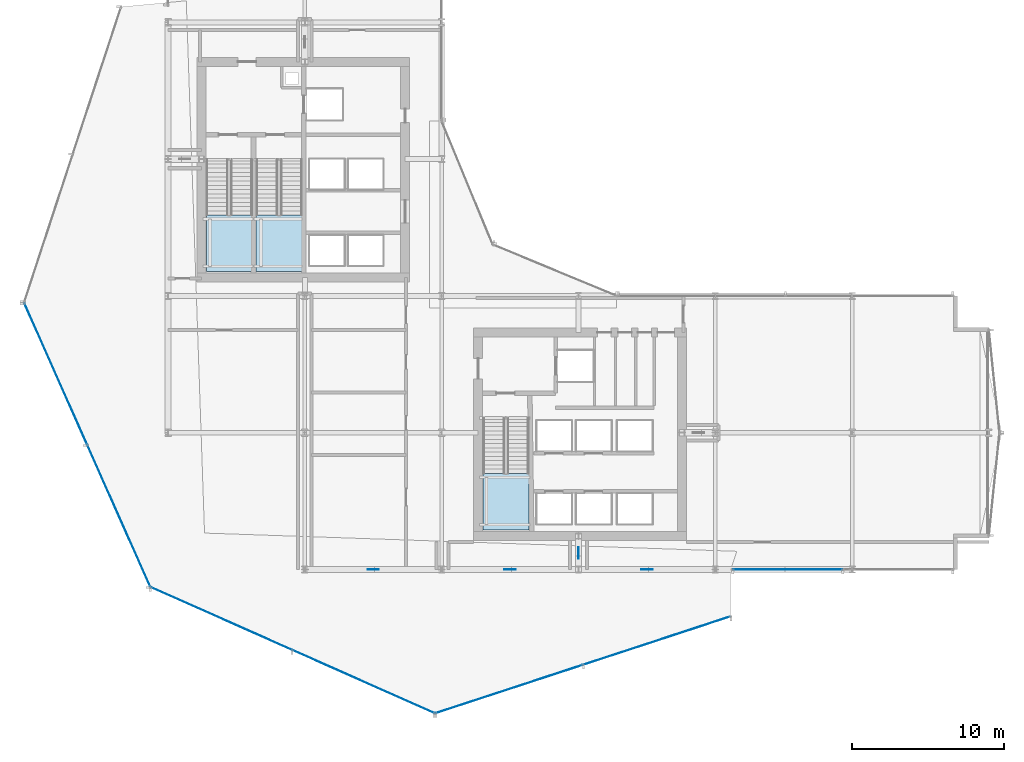
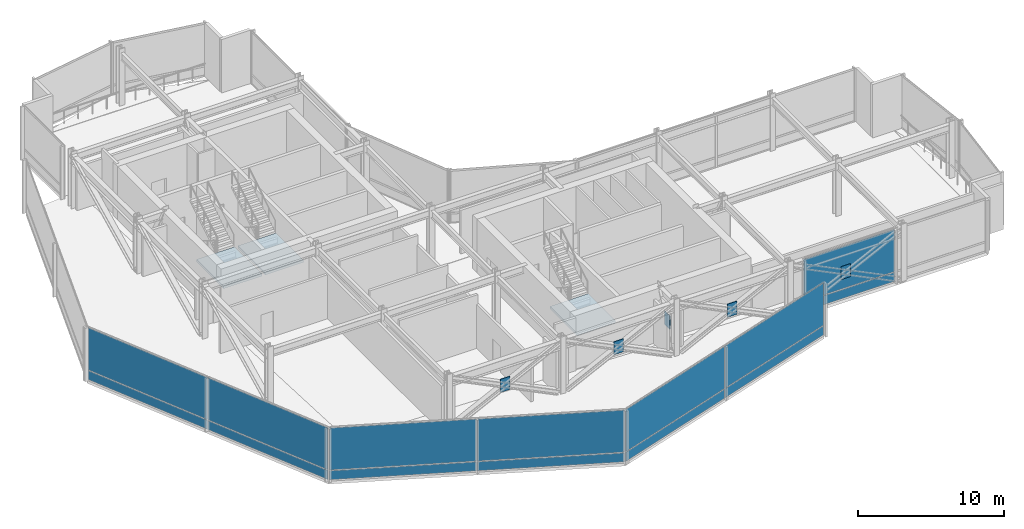
# One storey, part 28 of 42: 19 plates, 3 slabs, 7 elements without a shape of their own.
"""IFC4 building model written with IfcOpenShell, lengths in metres."""

from ifc_helpers import new_model, si_unit, direction, frame, origin, origin_2d, place, context, subcontext, project, spatial, polyline, rectangle, outline, extrude, material, layer, layer_set, type_object, element, aggregate, save


model = new_model("IFC4")

# Units and contexts
model_context = context("Model", 3, precision=1e-05, world=origin(), true_north=direction((0.0, 1.0)))
body_context = subcontext(model_context, "Body", "Model", "MODEL_VIEW")
ifc_project = project(units=[si_unit("LENGTHUNIT", "METRE"), si_unit("AREAUNIT", "SQUARE_METRE"), si_unit("VOLUMEUNIT", "CUBIC_METRE"), si_unit("PLANEANGLEUNIT", "RADIAN"), si_unit("MASSUNIT", "GRAM", prefix="KILO")], contexts=[model_context])

# Site, building, storey
site_placement = place(None, origin())
site = spatial("IfcSite", under=ifc_project, at=site_placement, CompositionType="ELEMENT")
building_placement = place(site_placement, origin())
building = spatial("IfcBuilding", under=site, at=building_placement, Name="Solvaryn Broadcast Tower", CompositionType="ELEMENT")
storey_placement = place(building_placement, frame((0.0, 0.0, 100.199951171875)))
storey = spatial("IfcBuildingStorey", under=building, at=storey_placement, Name="L24", CompositionType="ELEMENT", Elevation=100.199951171875)

# Curtain wall, plates
ifc_material_1 = material(Name="Aluminium and Terracotta Unitised Curtain Wall", Category="masonry")
ifc_layer_1 = layer(ifc_material_1, 0.199951171875)
ifc_layer_set_1 = layer_set([ifc_layer_1], Name="CW-SYS2-LOWMID")
curtain_wall_type = type_object("IfcCurtainWallType", Name="CW-SYS2-LOWMID", PredefinedType="NOTDEFINED", material=ifc_layer_set_1)
curtain_wall_1_placement = place(storey_placement, origin())
curtain_wall_1 = element("IfcCurtainWall", 1, at=curtain_wall_1_placement, inside=storey, type_object=curtain_wall_type, Name="L24 Curtain Wall DR2", PredefinedType="NOTDEFINED")
ifc_material_2 = material(Name="Kiln-Fired Architectural Terracotta Spandrel", Category="masonry")
ifc_layer_2 = layer(ifc_material_2, 0.048095703125)
ifc_layer_set_2 = layer_set([ifc_layer_2], Name="CW-PNL-TERRACOTTA")
plate_type_1 = type_object("IfcPlateType", Name="CW-PNL-TERRACOTTA", PredefinedType="CURTAIN_PANEL", material=ifc_layer_set_2)
plate_1_placement = place(storey_placement, frame((1.619873046875, 21.867919921875, 0.06005859375), z_axis=(0.0, 0.0, 1.0), x_axis=(0.405898286554, -0.913918257271, 0.0)))
plate_1 = element("IfcPlate", 2, at=plate_1_placement, type_object=plate_type_1, Name="CWS2 panel 1.1", PredefinedType="CURTAIN_PANEL", context=body_context, shape_type="SweptSolid", body=[
    extrude(rectangle(XDim=10.147705078125, YDim=0.028076171875, at=origin_2d()), origin(), (0.0, 0.0, 1.0), 0.760009765625),
])
plate_2_placement = place(storey_placement, frame((1.619873046875, 21.867919921875, 0.8798828125), z_axis=(0.0, 0.0, 1.0), x_axis=(0.405898286554, -0.913918257271, 0.0)))
plate_2 = element("IfcPlate", 3, at=plate_2_placement, type_object=plate_type_1, Name="CWS2 panel 1.2", PredefinedType="CURTAIN_PANEL", context=body_context, shape_type="SweptSolid", body=[
    extrude(rectangle(XDim=10.147705078125, YDim=0.028076171875, at=origin_2d()), origin(), (0.0, 0.0, 1.0), 3.530029296875),
])
plate_3_placement = place(storey_placement, frame((5.76318359375, 12.5390625, 0.06005859375), z_axis=(0.0, 0.0, 1.0), x_axis=(0.405898286554, -0.913918257271, 0.0)))
plate_3 = element("IfcPlate", 4, at=plate_3_placement, type_object=plate_type_1, Name="CWS2 panel 2.1", PredefinedType="CURTAIN_PANEL", context=body_context, shape_type="SweptSolid", body=[
    extrude(rectangle(XDim=10.147705078125, YDim=0.028076171875, at=origin_2d()), origin(), (0.0, 0.0, 1.0), 0.760009765625),
])
plate_4_placement = place(storey_placement, frame((5.76318359375, 12.5390625, 0.8798828125), z_axis=(0.0, 0.0, 1.0), x_axis=(0.405898286554, -0.913918257271, 0.0)))
plate_4 = element("IfcPlate", 5, at=plate_4_placement, type_object=plate_type_1, Name="CWS2 panel 2.2", PredefinedType="CURTAIN_PANEL", context=body_context, shape_type="SweptSolid", body=[
    extrude(rectangle(XDim=10.147705078125, YDim=0.028076171875, at=origin_2d()), origin(), (0.0, 0.0, 1.0), 3.530029296875),
])
aggregate(curtain_wall_1, [plate_1, plate_2, plate_3, plate_4])

curtain_wall_2_placement = place(storey_placement, origin())
curtain_wall_2 = element("IfcCurtainWall", 6, at=curtain_wall_2_placement, inside=storey, type_object=curtain_wall_type, Name="L24 Curtain Wall DR3", PredefinedType="NOTDEFINED")
plate_5_placement = place(storey_placement, frame((12.5390625, 5.76318359375, 0.06005859375), z_axis=(0.0, 0.0, 1.0), x_axis=(0.913918257271, -0.405898286554, 0.0)))
plate_5 = element("IfcPlate", 7, at=plate_5_placement, type_object=plate_type_1, Name="CWS2 panel 1.1", PredefinedType="CURTAIN_PANEL", context=body_context, shape_type="SweptSolid", body=[
    extrude(rectangle(XDim=10.147705078125, YDim=0.028076171875, at=origin_2d()), origin(), (0.0, 0.0, 1.0), 0.760009765625),
])
plate_6_placement = place(storey_placement, frame((12.5390625, 5.76318359375, 0.8798828125), z_axis=(0.0, 0.0, 1.0), x_axis=(0.913918257271, -0.405898286554, 0.0)))
plate_6 = element("IfcPlate", 8, at=plate_6_placement, type_object=plate_type_1, Name="CWS2 panel 1.2", PredefinedType="CURTAIN_PANEL", context=body_context, shape_type="SweptSolid", body=[
    extrude(rectangle(XDim=10.147705078125, YDim=0.028076171875, at=origin_2d()), origin(), (0.0, 0.0, 1.0), 3.530029296875),
])
plate_7_placement = place(storey_placement, frame((21.867919921875, 1.619873046875, 0.06005859375), z_axis=(0.0, 0.0, 1.0), x_axis=(0.913918257271, -0.405898286554, 0.0)))
plate_7 = element("IfcPlate", 9, at=plate_7_placement, type_object=plate_type_1, Name="CWS2 panel 2.1", PredefinedType="CURTAIN_PANEL", context=body_context, shape_type="SweptSolid", body=[
    extrude(rectangle(XDim=10.147705078125, YDim=0.028076171875, at=origin_2d()), origin(), (0.0, 0.0, 1.0), 0.760009765625),
])
plate_8_placement = place(storey_placement, frame((21.867919921875, 1.619873046875, 0.8798828125), z_axis=(0.0, 0.0, 1.0), x_axis=(0.913918257271, -0.405898286554, 0.0)))
plate_8 = element("IfcPlate", 10, at=plate_8_placement, type_object=plate_type_1, Name="CWS2 panel 2.2", PredefinedType="CURTAIN_PANEL", context=body_context, shape_type="SweptSolid", body=[
    extrude(rectangle(XDim=10.147705078125, YDim=0.028076171875, at=origin_2d()), origin(), (0.0, 0.0, 1.0), 3.530029296875),
])
aggregate(curtain_wall_2, [plate_5, plate_6, plate_7, plate_8])

curtain_wall_3_placement = place(storey_placement, origin())
curtain_wall_3 = element("IfcCurtainWall", 11, at=curtain_wall_3_placement, inside=storey, type_object=curtain_wall_type, Name="L24 Curtain Wall DR4", PredefinedType="NOTDEFINED")
plate_9_placement = place(storey_placement, frame((31.438232421875, 1.1357421875, 0.06005859375), z_axis=(0.0, 0.0, 1.0), x_axis=(0.950215318429, 0.311594044587, 0.0)))
plate_9 = element("IfcPlate", 12, at=plate_9_placement, type_object=plate_type_1, Name="CWS2 panel 1.1", PredefinedType="CURTAIN_PANEL", context=body_context, shape_type="SweptSolid", body=[
    extrude(rectangle(XDim=10.147705078125, YDim=0.028076171875, at=origin_2d()), origin(), (0.0, 0.0, 1.0), 0.760009765625),
])
plate_10_placement = place(storey_placement, frame((31.438232421875, 1.1357421875, 0.8798828125), z_axis=(0.0, 0.0, 1.0), x_axis=(0.950215318429, 0.311594044587, 0.0)))
plate_10 = element("IfcPlate", 13, at=plate_10_placement, type_object=plate_type_1, Name="CWS2 panel 1.2", PredefinedType="CURTAIN_PANEL", context=body_context, shape_type="SweptSolid", body=[
    extrude(rectangle(XDim=10.147705078125, YDim=0.028076171875, at=origin_2d()), origin(), (0.0, 0.0, 1.0), 3.530029296875),
])
plate_11_placement = place(storey_placement, frame((41.1376953125, 4.31640625, 0.06005859375), z_axis=(0.0, 0.0, 1.0), x_axis=(0.950215318429, 0.311594044587, 0.0)))
plate_11 = element("IfcPlate", 14, at=plate_11_placement, type_object=plate_type_1, Name="CWS2 panel 2.1", PredefinedType="CURTAIN_PANEL", context=body_context, shape_type="SweptSolid", body=[
    extrude(rectangle(XDim=10.147705078125, YDim=0.028076171875, at=origin_2d()), origin(), (0.0, 0.0, 1.0), 0.760009765625),
])
plate_12_placement = place(storey_placement, frame((41.1376953125, 4.31640625, 0.8798828125), z_axis=(0.0, 0.0, 1.0), x_axis=(0.950215318429, 0.311594044587, 0.0)))
plate_12 = element("IfcPlate", 15, at=plate_12_placement, type_object=plate_type_1, Name="CWS2 panel 2.2", PredefinedType="CURTAIN_PANEL", context=body_context, shape_type="SweptSolid", body=[
    extrude(rectangle(XDim=10.147705078125, YDim=0.028076171875, at=origin_2d()), origin(), (0.0, 0.0, 1.0), 3.530029296875),
])
aggregate(curtain_wall_3, [plate_9, plate_10, plate_11, plate_12])

curtain_wall_4_placement = place(storey_placement, origin())
curtain_wall_4 = element("IfcCurtainWall", 16, at=curtain_wall_4_placement, inside=storey, type_object=curtain_wall_type, Name="L24 Curtain Wall S2", PredefinedType="NOTDEFINED")
plate_13_placement = place(storey_placement, frame((49.764404296875, 9.0, 0.06005859375), z_axis=(0.0, 0.0, 1.0), x_axis=(1.0, 0.0, 0.0)))
plate_13 = element("IfcPlate", 17, at=plate_13_placement, type_object=plate_type_1, Name="CWS2 panel 1.1", PredefinedType="CURTAIN_PANEL", context=body_context, shape_type="SweptSolid", body=[
    extrude(rectangle(XDim=7.177001953125, YDim=0.028076171875, at=origin_2d()), origin(), (0.0, 0.0, 1.0), 0.760009765625),
])
plate_14_placement = place(storey_placement, frame((49.764404296875, 9.0, 0.8798828125), z_axis=(0.0, 0.0, 1.0), x_axis=(1.0, 0.0, 0.0)))
plate_14 = element("IfcPlate", 18, at=plate_14_placement, type_object=plate_type_1, Name="CWS2 panel 1.2", PredefinedType="CURTAIN_PANEL", context=body_context, shape_type="SweptSolid", body=[
    extrude(rectangle(XDim=7.177001953125, YDim=0.028076171875, at=origin_2d()), origin(), (0.0, 0.0, 1.0), 3.530029296875),
])
aggregate(curtain_wall_4, [plate_13, plate_14])

# Plates
ifc_material_3 = material(Name="Steel ASTM A572 Grade 50", Category="steel")
ifc_layer_3 = layer(ifc_material_3, 0.050048828125)
ifc_layer_set_3 = layer_set([ifc_layer_3], Name="PL-GUSSET-50")
plate_type_2 = type_object("IfcPlateType", Name="PL-GUSSET-50", PredefinedType="SHEET", material=ifc_layer_set_3)
plate_15_placement = place(storey_placement, frame((36.0, 10.10009765625, 1.68505859375), z_axis=(0.0, 0.0, 1.0), x_axis=(1.0, 0.0, 0.0)))
element("IfcPlate", 19, at=plate_15_placement, inside=storey, type_object=plate_type_2, Name="L24 Outrigger X-Brace S X-Crossing Gusset Node Plate", PredefinedType="SHEET", context=body_context, shape_type="SweptSolid", body=[
    extrude(rectangle(XDim=0.050048828125, YDim=0.75, at=origin_2d()), origin(), (0.0, 0.0, 1.0), 1.10009765625),
])
for number, where, z_axis, x_axis, name in (
    (20, (22.5, 9.0, 1.68505859375), (0.0, 0.0, 1.0), (1.0, 0.0, 0.0), "L24 South Belt X-Brace 3 X-Crossing Gusset Node Plate"),
    (21, (31.5, 9.0, 1.68505859375), (0.0, 0.0, 1.0), (1.0, 0.0, 0.0), "L24 South Belt X-Brace 4 X-Crossing Gusset Node Plate"),
    (22, (40.5, 9.0, 1.68505859375), (0.0, 0.0, 1.0), (1.0, 0.0, 0.0), "L24 South Belt X-Brace 5 X-Crossing Gusset Node Plate"),
    (23, (49.5, 9.0, 1.68505859375), (0.0, 0.0, 1.0), (1.0, 0.0, 0.0), "L24 South Belt X-Brace 6 X-Crossing Gusset Node Plate"),
):
    element("IfcPlate", number, at=place(storey_placement, frame(where, z_axis=z_axis, x_axis=x_axis)), inside=storey, type_object=plate_type_2, Name=name, PredefinedType="SHEET", context=body_context, shape_type="SweptSolid", body=[
        extrude(rectangle(XDim=0.75, YDim=0.050048828125, at=origin_2d()), origin(), (0.0, 0.0, 1.0), 1.10009765625),
    ])

# Stair, slab
ifc_material_4 = material(Name="Concrete f'c 60 MPa", Category="concrete")
stair_type = type_object("IfcStairType", Name="ST-CORE", PredefinedType="HALF_TURN_STAIR", material=ifc_material_4)
stair_1_placement = place(storey_placement, origin())
stair_1 = element("IfcStair", 24, at=stair_1_placement, inside=storey, type_object=stair_type, Name="L24 ST1", PredefinedType="HALF_TURN_STAIR")
ifc_material_5 = material(Name="Concrete f'c 60 MPa", Category="concrete")
ifc_layer_4 = layer(ifc_material_5, 0.199951171875)
ifc_layer_set_4 = layer_set([ifc_layer_4], Name="SL-LANDING-200")
slab_type = type_object("IfcSlabType", Name="SL-LANDING-200", PredefinedType="LANDING", material=ifc_layer_set_4)
slab_1_placement = place(storey_placement, frame((0.0, 0.0, 2.199951171875)))
slab_1 = element("IfcSlab", 25, at=slab_1_placement, type_object=slab_type, Name="ST1 landing 1", PredefinedType="LANDING", context=body_context, shape_type="SweptSolid", body=[
    extrude(outline(polyline([(11.52001953125, 32.320068359375), (11.52001953125, 28.60009765625), (14.550048828125, 28.60009765625), (14.550048828125, 32.320068359375), (11.52001953125, 32.320068359375)])), origin(), (0.0, 0.0, 1.0), 0.2001953125),
])
aggregate(stair_1, [slab_1])

stair_2_placement = place(storey_placement, origin())
stair_2 = element("IfcStair", 26, at=stair_2_placement, inside=storey, type_object=stair_type, Name="L24 ST2", PredefinedType="HALF_TURN_STAIR")
slab_2_placement = place(storey_placement, frame((0.0, 0.0, 2.199951171875)))
slab_2 = element("IfcSlab", 27, at=slab_2_placement, type_object=slab_type, Name="ST2 landing 1", PredefinedType="LANDING", context=body_context, shape_type="SweptSolid", body=[
    extrude(outline(polyline([(14.800048828125, 32.320068359375), (14.800048828125, 28.60009765625), (17.830078125, 28.60009765625), (17.830078125, 32.320068359375), (14.800048828125, 32.320068359375)])), origin(), (0.0, 0.0, 1.0), 0.2001953125),
])
aggregate(stair_2, [slab_2])

stair_3_placement = place(storey_placement, origin())
stair_3 = element("IfcStair", 28, at=stair_3_placement, inside=storey, type_object=stair_type, Name="L24 ST3", PredefinedType="HALF_TURN_STAIR")
slab_3_placement = place(storey_placement, frame((0.0, 0.0, 2.199951171875)))
slab_3 = element("IfcSlab", 29, at=slab_3_placement, type_object=slab_type, Name="ST3 landing 1", PredefinedType="LANDING", context=body_context, shape_type="SweptSolid", body=[
    extrude(outline(polyline([(29.719970703125, 15.320068359375), (29.719970703125, 11.60009765625), (32.75, 11.60009765625), (32.75, 15.320068359375), (29.719970703125, 15.320068359375)])), origin(), (0.0, 0.0, 1.0), 0.2001953125),
])
aggregate(stair_3, [slab_3])

save(model, "model.ifc")
